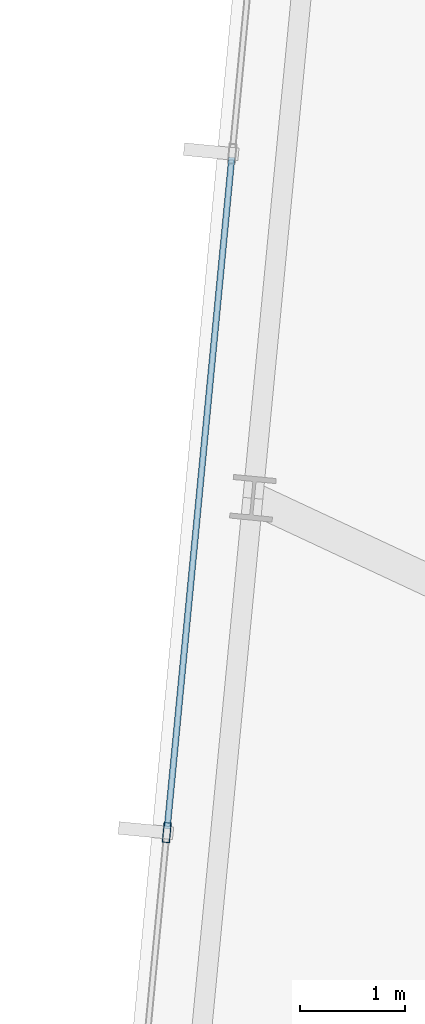
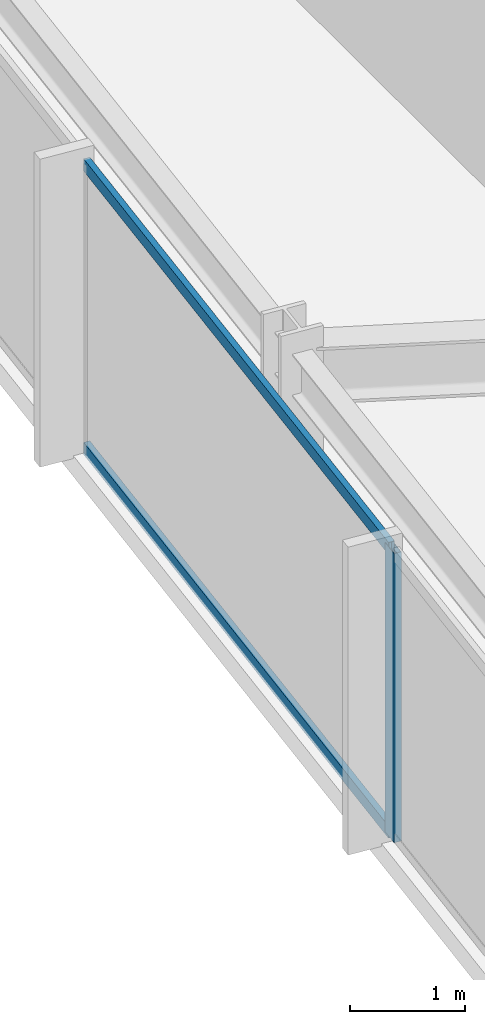
# One storey, part 8 of 36: 3 members, 1 element without a shape of its own.
"""IFC4 building model written with IfcOpenShell, lengths in metres."""

from ifc_helpers import new_model, si_unit, direction, frame, origin, origin_2d, place, context, subcontext, project, spatial, hollow_rectangle, extrude, material, material_profile, profile_set, type_object, element, aggregate, save


model = new_model("IFC4")

# Units and contexts
model_context = context("Model", 3, precision=1e-05, world=origin(), true_north=direction((0.0, 1.0)))
body_context = subcontext(model_context, "Body", "Model", "MODEL_VIEW")
ifc_project = project(units=[si_unit("LENGTHUNIT", "METRE"), si_unit("AREAUNIT", "SQUARE_METRE"), si_unit("VOLUMEUNIT", "CUBIC_METRE"), si_unit("PLANEANGLEUNIT", "RADIAN"), si_unit("MASSUNIT", "GRAM", prefix="KILO")], contexts=[model_context])

# Site, building, storey
site_placement = place(None, origin())
site = spatial("IfcSite", under=ifc_project, at=site_placement, CompositionType="ELEMENT")
building_placement = place(site_placement, origin())
building = spatial("IfcBuilding", under=site, at=building_placement, Name="Yelkora Congress Tower", CompositionType="ELEMENT")
storey_placement = place(building_placement, frame((0.0, 0.0, 152.300048828125)))
storey = spatial("IfcBuildingStorey", under=building, at=storey_placement, Name="L41", CompositionType="ELEMENT", Elevation=152.300048828125)

# Curtain wall, members
ifc_material_1 = material(Name="Anodised aluminium and insulated glass", Category="aluminium")
curtain_wall_type = type_object("IfcCurtainWallType", Name="CW-SYS-B3", PredefinedType="NOTDEFINED", material=ifc_material_1)
curtain_wall_placement = place(storey_placement, origin())
curtain_wall = element("IfcCurtainWall", 1, at=curtain_wall_placement, inside=storey, type_object=curtain_wall_type, Name="L41 Unitised Curtain Wall 5", PredefinedType="NOTDEFINED")
ifc_material_2 = material(Name="Anodised aluminium 6063-T6", Category="aluminium")
ifc_material_profile_1 = material_profile(ifc_material_2, hollow_rectangle(XDim=0.070068359375, YDim=0.18994140625, WallThickness=0.00390625, at=origin_2d()), Name="ALU 70x190x4")
ifc_profile_set_1 = profile_set([ifc_material_profile_1], Name="Anodised aluminium 6063-T6")
member_type_1 = type_object("IfcMemberType", Name="MEM-ML-B3", PredefinedType="MULLION", material=ifc_profile_set_1)
member_1_placement = place(storey_placement, frame((2.546142578125, 29.416259765625, 0.0), z_axis=(0.0, 0.0, 1.0), x_axis=(-0.995396242473, 0.095845294465, 0.0)))
member_1 = element("IfcMember", 2, at=member_1_placement, type_object=member_type_1, Name="CW-B3 mullion 3", PredefinedType="MULLION", context=body_context, shape_type="SweptSolid", body=[
    extrude(hollow_rectangle(XDim=0.070068359375, YDim=0.18994140625, WallThickness=0.00390625, at=origin_2d()), origin(), (0.0, 0.0, 1.0), 3.079833984375),
])
ifc_material_profile_2 = material_profile(ifc_material_2, hollow_rectangle(XDim=0.06005859375, YDim=0.1298828125, WallThickness=0.00390625, at=origin_2d()), Name="ALU 60x130x4")
ifc_profile_set_2 = profile_set([ifc_material_profile_2], Name="Anodised aluminium 6063-T6")
member_type_2 = type_object("IfcMemberType", Name="MEM-TR-B3", PredefinedType="USERDEFINED", material=ifc_profile_set_2)
member_2_placement = place(storey_placement, frame((2.549560546875, 29.450927734375, 0.030029296875), z_axis=(0.095843682057, 0.995396397728, 0.0), x_axis=(-0.995396397728, 0.095843682057, 0.0)))
member_2 = element("IfcMember", 3, at=member_2_placement, type_object=member_type_2, Name="CW-B3 transom 3.1", ObjectType="TRANSOM", PredefinedType="USERDEFINED", context=body_context, shape_type="SweptSolid", body=[
    extrude(hollow_rectangle(XDim=0.06005859375, YDim=0.1298828125, WallThickness=0.00390625, at=origin_2d()), origin(), (0.0, 0.0, 1.0), 6.4140625),
])
member_3_placement = place(storey_placement, frame((2.549560546875, 29.450927734375, 3.050048828125), z_axis=(0.095843682057, 0.995396397728, 0.0), x_axis=(-0.995396397728, 0.095843682057, 0.0)))
member_3 = element("IfcMember", 4, at=member_3_placement, type_object=member_type_2, Name="CW-B3 transom 3.2", ObjectType="TRANSOM", PredefinedType="USERDEFINED", context=body_context, shape_type="SweptSolid", body=[
    extrude(hollow_rectangle(XDim=0.06005859375, YDim=0.1298828125, WallThickness=0.00390625, at=origin_2d()), origin(), (0.0, 0.0, 1.0), 6.4140625),
])
aggregate(curtain_wall, [member_1, member_2, member_3])

save(model, "model.ifc")
